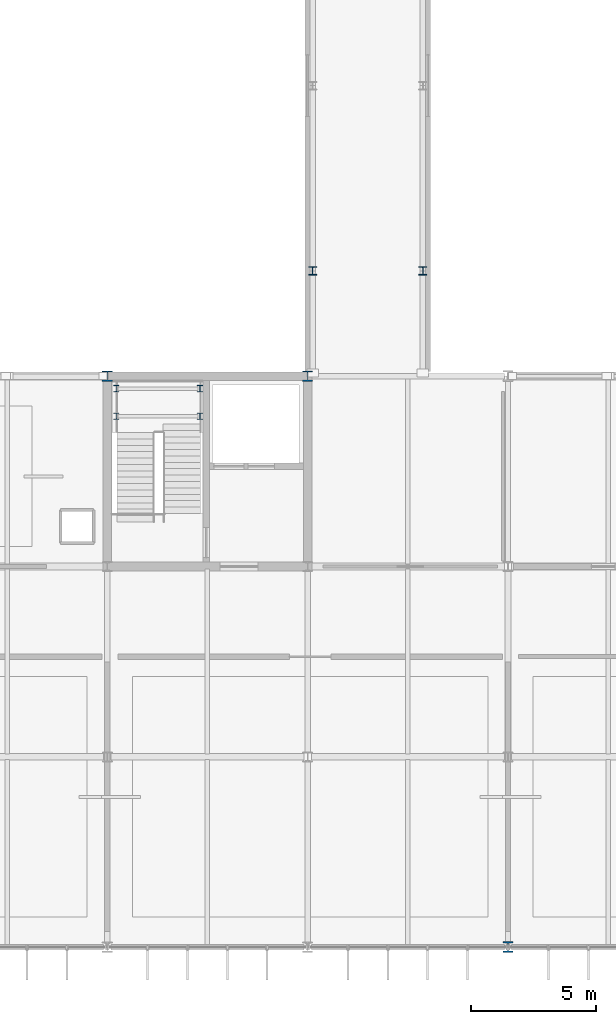
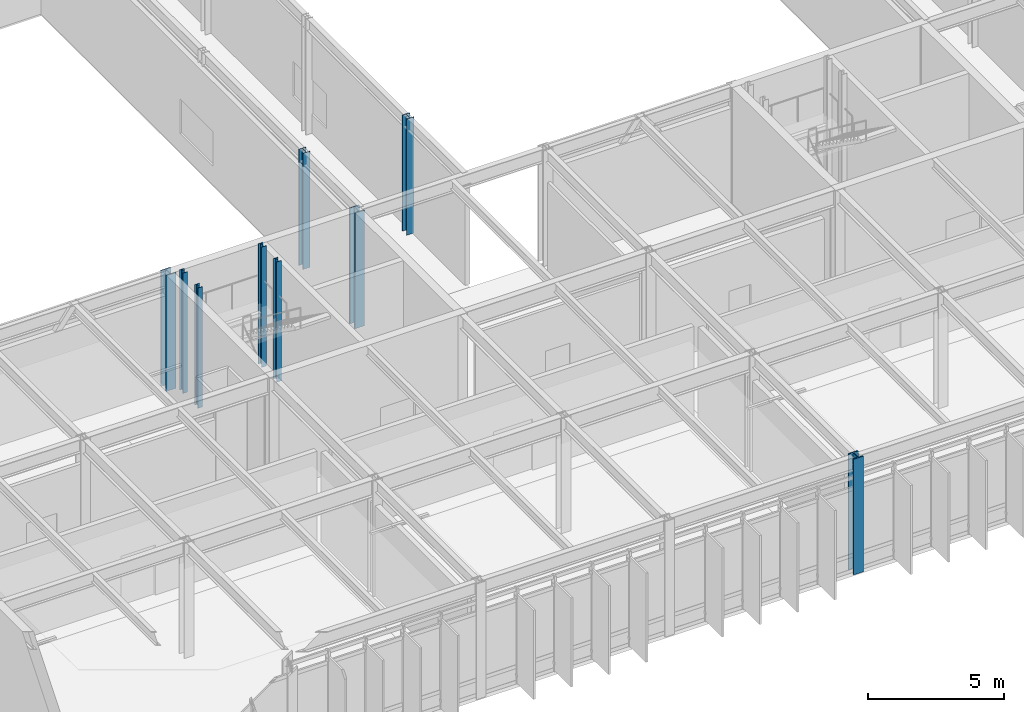
# One storey, part 2 of 94: 9 columns.
"""IFC4 building model written with IfcOpenShell, lengths in metres."""

from ifc_helpers import new_model, si_unit, direction, frame, origin, origin_2d, place, context, subcontext, project, spatial, i_section, extrude, material, material_profile, profile_set, type_object, element, save


model = new_model("IFC4")

# Units and contexts
model_context = context("Model", 3, precision=1e-05, world=origin(), true_north=direction((0.0, 1.0)))
body_context = subcontext(model_context, "Body", "Model", "MODEL_VIEW")
ifc_project = project(units=[si_unit("LENGTHUNIT", "METRE"), si_unit("AREAUNIT", "SQUARE_METRE"), si_unit("VOLUMEUNIT", "CUBIC_METRE"), si_unit("PLANEANGLEUNIT", "RADIAN"), si_unit("MASSUNIT", "GRAM", prefix="KILO")], contexts=[model_context])

# Site, building, storey
site_placement = place(None, origin())
site = spatial("IfcSite", under=ifc_project, at=site_placement, CompositionType="ELEMENT")
building_placement = place(site_placement, origin())
building = spatial("IfcBuilding", under=site, at=building_placement, Name="Zulena Civic Courthouse", CompositionType="ELEMENT")
storey_placement = place(building_placement, frame((0.0, 0.0, 5.39990234375)))
storey = spatial("IfcBuildingStorey", under=building, at=storey_placement, Name="L01", CompositionType="ELEMENT", Elevation=5.39990234375)

# Columns
ifc_material = material(Name="Steel ASTM A992 Grade 50", Category="steel")
ifc_material_profile_1 = material_profile(ifc_material, i_section(OverallWidth=0.2041015625, OverallDepth=0.257080078125, WebThickness=0.0087890625, FlangeThickness=0.015625, FilletRadius=0.0126953125, at=origin_2d()), Name="W10X45")
ifc_profile_set_1 = profile_set([ifc_material_profile_1], Name="Steel ASTM A992 Grade 50")
column_type_1 = type_object("IfcColumnType", Name="Col_W10X45", PredefinedType="COLUMN", material=ifc_profile_set_1)
for number, where, z_axis, x_axis, name in (
    (1, (20.360107421875, 21.199951171875, 0.0), (0.0, 0.0, 1.0), (1.0, 0.0, 0.0), "col:lnd:K2A:L01:0:0"),
    (2, (23.699951171875, 21.199951171875, 0.0), (0.0, 0.0, 1.0), (1.0, 0.0, 0.0), "col:lnd:K2A:L01:0:1"),
    (3, (20.360107421875, 22.300048828125, 0.0), (0.0, 0.0, 1.0), (1.0, 0.0, 0.0), "col:lnd:K2A:L01:1:0"),
    (4, (23.699951171875, 22.300048828125, 0.0), (0.0, 0.0, 1.0), (1.0, 0.0, 0.0), "col:lnd:K2A:L01:1:1"),
):
    element("IfcColumn", number, at=place(storey_placement, frame(where, z_axis=z_axis, x_axis=x_axis)), inside=storey, type_object=column_type_1, Name=name, PredefinedType="COLUMN", context=body_context, shape_type="SweptSolid", body=[
        extrude(i_section(OverallWidth=0.2041015625, OverallDepth=0.257080078125, WebThickness=0.0087890625, FlangeThickness=0.015625, FilletRadius=0.0126953125, at=origin_2d()), origin(), (0.0, 0.0, 1.0), 5.39501953125),
    ])
ifc_material_profile_2 = material_profile(ifc_material, i_section(OverallWidth=0.30908203125, OverallDepth=0.322998046875, WebThickness=0.013916015625, FlangeThickness=0.02294921875, FilletRadius=0.01513671875, at=origin_2d()), Name="W12X96")
ifc_profile_set_2 = profile_set([ifc_material_profile_2], Name="Steel ASTM A992 Grade 50")
column_type_2 = type_object("IfcColumnType", Name="Col_W12X96", PredefinedType="COLUMN", material=ifc_profile_set_2)
for number, where, z_axis, x_axis, name in (
    (5, (28.199951171875, 27.0, 0.0), (0.0, 0.0, 1.0), (1.0, 0.0, 0.0), "col:bridge:BR-52J:L01:28.20:27.00"),
    (6, (32.60009765625, 27.0, 0.0), (0.0, 0.0, 1.0), (1.0, 0.0, 0.0), "col:bridge:BR-52J:L01:32.60:27.00"),
):
    element("IfcColumn", number, at=place(storey_placement, frame(where, z_axis=z_axis, x_axis=x_axis)), inside=storey, type_object=column_type_2, Name=name, PredefinedType="COLUMN", context=body_context, shape_type="SweptSolid", body=[
        extrude(i_section(OverallWidth=0.30908203125, OverallDepth=0.322998046875, WebThickness=0.013916015625, FlangeThickness=0.02294921875, FilletRadius=0.01513671875, at=origin_2d()), origin(), (0.0, 0.0, 1.0), 5.205078125),
    ])
ifc_material_profile_3 = material_profile(ifc_material, i_section(OverallWidth=0.406005859375, OverallDepth=0.416015625, WebThickness=0.02978515625, FlangeThickness=0.048095703125, FilletRadius=0.01513671875, at=origin_2d()), Name="W14X257")
ifc_profile_set_3 = profile_set([ifc_material_profile_3], Name="Steel ASTM A992 Grade 50")
column_type_3 = type_object("IfcColumnType", Name="Col_W14X257", PredefinedType="COLUMN", material=ifc_profile_set_3)
for number, where, z_axis, x_axis, name in (
    (7, (20.0, 22.800048828125, 0.0), (0.0, 0.0, 1.0), (1.0, 0.0, 0.0), "col:V2:L01:20.0:22.8"),
    (8, (28.0, 22.800048828125, 0.0), (0.0, 0.0, 1.0), (1.0, 0.0, 0.0), "col:V2:L01:28.0:22.8"),
):
    element("IfcColumn", number, at=place(storey_placement, frame(where, z_axis=z_axis, x_axis=x_axis)), inside=storey, type_object=column_type_3, Name=name, PredefinedType="COLUMN", context=body_context, shape_type="SweptSolid", body=[
        extrude(i_section(OverallWidth=0.406005859375, OverallDepth=0.416015625, WebThickness=0.02978515625, FlangeThickness=0.048095703125, FilletRadius=0.01513671875, at=origin_2d()), origin(), (0.0, 0.0, 1.0), 5.18505859375),
    ])
ifc_material_profile_4 = material_profile(ifc_material, i_section(OverallWidth=0.412109375, OverallDepth=0.43505859375, WebThickness=0.035888671875, FlangeThickness=0.057373046875, FilletRadius=0.01513671875, at=origin_2d()), Name="W14X311")
ifc_profile_set_4 = profile_set([ifc_material_profile_4], Name="Steel ASTM A992 Grade 50")
column_type_4 = type_object("IfcColumnType", Name="Col_W14X311", PredefinedType="COLUMN", material=ifc_profile_set_4)
column_placement = place(storey_placement, frame((36.0, 0.0, 0.0), z_axis=(0.0, 0.0, 1.0), x_axis=(1.0, 0.0, 0.0)))
element("IfcColumn", 9, at=column_placement, inside=storey, type_object=column_type_4, Name="col:V2:L01:36.0:0.0", PredefinedType="COLUMN", context=body_context, shape_type="SweptSolid", body=[
    extrude(i_section(OverallWidth=0.412109375, OverallDepth=0.43505859375, WebThickness=0.035888671875, FlangeThickness=0.057373046875, FilletRadius=0.01513671875, at=origin_2d()), origin(), (0.0, 0.0, 1.0), 5.18505859375),
])

save(model, "model.ifc")
